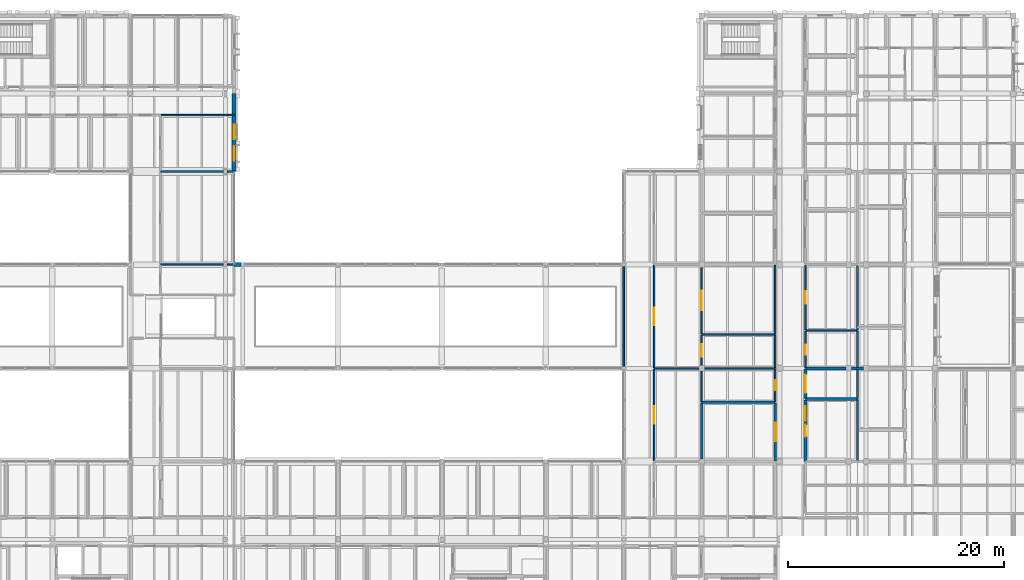
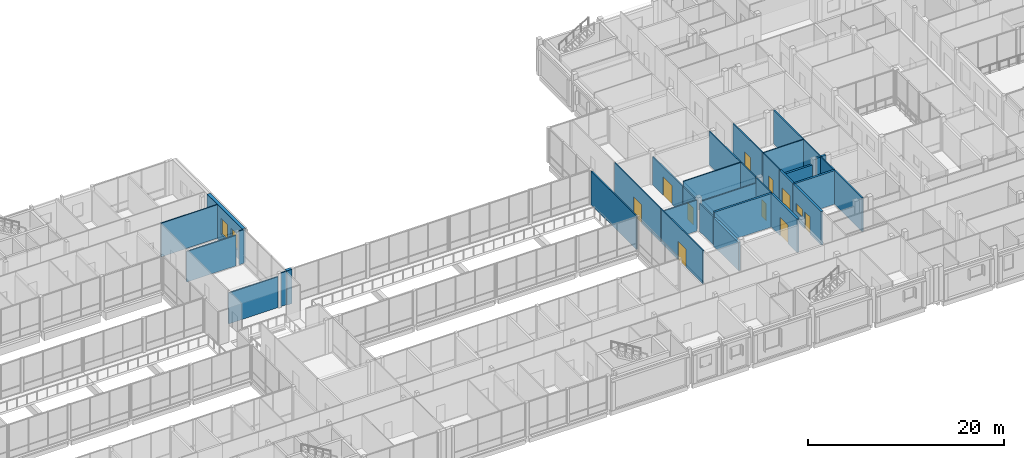
# One storey, part 115 of 146: 35 walls, 10 doors, 3 windows, 13 openings.
"""IFC4 building model written with IfcOpenShell, lengths in metres."""

import ifcopenshell
import ifcopenshell.guid

model = None  # the IFC model being written
_history = None  # IfcOwnerHistory: only IFC2X3 demands one
_inside = {}  # id of a spatial element -> (the spatial element, [elements in it])
_under = {}  # id of a project, library or spatial element -> (it, [spatial elements below it])
_declared = {}  # id of a project -> (the project, [libraries it declares])
_typed = {}  # id of a type object -> (the type object, [elements of that type])
_made_of = {}  # id of a material, layer set ... -> (it, [elements and type objects made of it])


def new_model(schema):
    """Start an empty IFC model of exactly this schema.

    Asked for "IFC4X3", IfcOpenShell would pick the latest addendum, in which some entities
    have other attributes; the version numbers below select the first issue.
    IFC2X3 requires an IfcOwnerHistory on every rooted entity: one is made here for all.
    """
    global model, _history
    if schema == "IFC4X3":
        model = ifcopenshell.file(schema_version=(4, 3, 0, 0))
    else:
        model = ifcopenshell.file(schema=schema)
    _inside.clear()
    _under.clear()
    _declared.clear()
    _typed.clear()
    _made_of.clear()
    _history = None
    if model.schema == "IFC2X3":
        org = make("IfcOrganization", Name="unknown")
        user = make(
            "IfcPersonAndOrganization",
            ThePerson=make("IfcPerson", FamilyName="unknown"),
            TheOrganization=org,
        )
        app = make(
            "IfcApplication",
            ApplicationDeveloper=org,
            Version="unknown",
            ApplicationFullName="unknown",
            ApplicationIdentifier="unknown",
        )
        _history = make(
            "IfcOwnerHistory",
            OwningUser=user,
            OwningApplication=app,
            ChangeAction="ADDED",
            CreationDate=0,
        )
    return model


def make(cls, **values):
    """One entity of the class cls with the attributes given. An attribute that is None is left unset."""
    return model.create_entity(
        cls, **{name: value for name, value in values.items() if value is not None}
    )


def rooted(cls, **values):
    """An entity with a GlobalId (a new one), such as an element, a storey or a relation."""
    return make(cls, GlobalId=ifcopenshell.guid.new(), OwnerHistory=_history, **values)


def si_unit(unit_type, name, prefix=None):
    """IfcSIUnit, for example si_unit("LENGTHUNIT", "METRE", prefix="MILLI")."""
    return make("IfcSIUnit", UnitType=unit_type, Prefix=prefix, Name=name)


def assignment(units):
    """IfcUnitAssignment: the units of a project."""
    return None if units is None else make("IfcUnitAssignment", Units=units)


def point(xyz):
    """IfcCartesianPoint."""
    return None if xyz is None else make("IfcCartesianPoint", Coordinates=xyz)


def direction(xyz):
    """IfcDirection."""
    return None if xyz is None else make("IfcDirection", DirectionRatios=xyz)


def frame(location, z_axis=None, x_axis=None):
    """IfcAxis2Placement3D, a coordinate frame: its origin and axes. An axis left out is left unset."""
    return make(
        "IfcAxis2Placement3D",
        Location=point(location),
        Axis=direction(z_axis),
        RefDirection=direction(x_axis),
    )


def frame_2d(location, x_axis=None):
    """IfcAxis2Placement2D, a coordinate frame in the plane: its origin and x axis."""
    return make(
        "IfcAxis2Placement2D", Location=point(location), RefDirection=direction(x_axis)
    )


def origin():
    """The frame at (0, 0, 0) with its axes left unset."""
    return frame((0.0, 0.0, 0.0))


def place(relative_to, where):
    """IfcLocalPlacement: puts the frame where relative to a parent placement (None: the world)."""
    return make(
        "IfcLocalPlacement", PlacementRelTo=relative_to, RelativePlacement=where
    )


def context(
    kind, dimensions, precision=None, world=None, true_north=None, identifier=None
):
    """IfcGeometricRepresentationContext, for example the 3D "Model" context."""
    return make(
        "IfcGeometricRepresentationContext",
        ContextIdentifier=identifier,
        ContextType=kind,
        CoordinateSpaceDimension=dimensions,
        Precision=precision,
        WorldCoordinateSystem=world,
        TrueNorth=true_north,
    )


def subcontext(parent, identifier, kind, view, scale=None):
    """IfcGeometricRepresentationSubContext, for example "Body" below "Model"."""
    return make(
        "IfcGeometricRepresentationSubContext",
        ContextIdentifier=identifier,
        ContextType=kind,
        ParentContext=parent,
        TargetScale=scale,
        TargetView=view,
    )


def project(units=None, contexts=None):
    """IfcProject with its units and contexts."""
    return rooted(
        "IfcProject",
        Name="project",
        RepresentationContexts=contexts,
        UnitsInContext=assignment(units),
    )


def spatial(cls, under=None, at=None, **own):
    """A site, building, storey or space (cls), placed at a placement, below another one or the project."""
    s = rooted(cls, ObjectPlacement=at, **own)
    if under is not None:
        _under.setdefault(under.id(), (under, []))[1].append(s)
    return s


def profile(cls, at=None, kind="AREA", **sizes):
    """A parametric profile (cls). Its sizes go by their IFC names, for example OverallWidth=200.0."""
    return make(cls, ProfileType=kind, Position=at, **sizes)


def rectangle(**sizes):
    """IfcRectangleProfileDef."""
    return profile("IfcRectangleProfileDef", **sizes)


def extrude(swept, where, along, depth):
    """IfcExtrudedAreaSolid: the profile swept, set in the frame where, extruded along a direction by depth."""
    return make(
        "IfcExtrudedAreaSolid",
        SweptArea=swept,
        Position=where,
        ExtrudedDirection=direction(along),
        Depth=depth,
    )


def shape(context_of_items, identifier, shape_type, items):
    """IfcShapeRepresentation: the items that make up one representation, for example the "Body"."""
    return make(
        "IfcShapeRepresentation",
        ContextOfItems=context_of_items,
        RepresentationIdentifier=identifier,
        RepresentationType=shape_type,
        Items=items,
    )


def material(Name=None, Category=None):
    """IfcMaterial."""
    return make("IfcMaterial", Name=Name, Category=Category)


def layer(
    of_material, thickness, ventilated=None, Name=None, Category=None, Priority=None
):
    """IfcMaterialLayer: one layer of a wall or slab, of a material (None: an air gap)."""
    return make(
        "IfcMaterialLayer",
        Material=of_material,
        LayerThickness=thickness,
        IsVentilated=ventilated,
        Name=Name,
        Category=Category,
        Priority=Priority,
    )


def layer_set(layers, Name=None):
    """IfcMaterialLayerSet."""
    return make("IfcMaterialLayerSet", MaterialLayers=layers, LayerSetName=Name)


def made_of(thing, what):
    """Note that an element or type object is made of a material, layer set ...; save() writes the relation."""
    if what is not None:
        _made_of.setdefault(what.id(), (what, []))[1].append(thing)
    return thing


def type_object(cls, material=None, **own):
    """A type object (cls), such as IfcWallType, which elements share."""
    return made_of(rooted(cls, **own), material)


def element(
    cls,
    number,
    at=None,
    inside=None,
    cuts=None,
    type_object=None,
    material=None,
    context=None,
    identifier="Body",
    shape_type=None,
    held_by="IfcProductDefinitionShape",
    body=None,
    shapes=None,
    **own,
):
    """One element of the class cls, such as IfcWall. Its Tag is "e" and its number.

    at: its placement. inside: the storey or other place that contains it. cuts: it is an
    opening in that element (IfcRelVoidsElement). A single representation is given by context,
    identifier, shape_type and body (its items); several are given by shapes. held_by: the class
    of the entity that holds the representations. save() writes the other relations.
    """
    e = rooted(cls, Tag="e%d" % number, ObjectPlacement=at, **own)
    if body is not None:
        shapes = [shape(context, identifier, shape_type, body)]
    if shapes is not None:
        e.Representation = make(held_by, Representations=shapes)
    if inside is not None:
        _inside.setdefault(inside.id(), (inside, []))[1].append(e)
    if cuts is not None:
        rooted(
            "IfcRelVoidsElement", RelatingBuildingElement=cuts, RelatedOpeningElement=e
        )
    if type_object is not None:
        _typed.setdefault(type_object.id(), (type_object, []))[1].append(e)
    return made_of(e, material)


def fill(opening, filler):
    """IfcRelFillsElement: the door or window that sits in an opening."""
    return rooted(
        "IfcRelFillsElement",
        RelatingOpeningElement=opening,
        RelatedBuildingElement=filler,
    )


def aggregate(whole, parts):
    """IfcRelAggregates: a whole, such as a stair, and the parts it consists of."""
    return rooted("IfcRelAggregates", RelatingObject=whole, RelatedObjects=parts)


def save(model, path):
    """Write the relations noted so far, then the file.

    IfcRelAggregates (storeys below a building ...), IfcRelContainedInSpatialStructure (elements
    in a storey), IfcRelDefinesByType, IfcRelAssociatesMaterial and IfcRelDeclares: one each for
    every whole, place, type object, material and project.
    """
    for whole, parts in _under.values():
        aggregate(whole, parts)
    for where, things in _inside.values():
        rooted(
            "IfcRelContainedInSpatialStructure",
            RelatedElements=things,
            RelatingStructure=where,
        )
    for kind, things in _typed.values():
        rooted("IfcRelDefinesByType", RelatedObjects=things, RelatingType=kind)
    for what, things in _made_of.values():
        rooted("IfcRelAssociatesMaterial", RelatedObjects=things, RelatingMaterial=what)
    for by, libraries in _declared.values():
        rooted("IfcRelDeclares", RelatingContext=by, RelatedDefinitions=libraries)
    model.write(path)


model = new_model("IFC4")

# Units and contexts
model_context = context("Model", 3, precision=1e-05, world=origin(), true_north=direction((0.0, 1.0)))
body_context = subcontext(model_context, "Body", "Model", "MODEL_VIEW")
ifc_project = project(units=[si_unit("LENGTHUNIT", "METRE"), si_unit("AREAUNIT", "SQUARE_METRE"), si_unit("VOLUMEUNIT", "CUBIC_METRE"), si_unit("PLANEANGLEUNIT", "RADIAN"), si_unit("MASSUNIT", "GRAM", prefix="KILO")], contexts=[model_context])

# Site, building, storey
site_placement = place(None, origin())
site = spatial("IfcSite", under=ifc_project, at=site_placement, CompositionType="ELEMENT")
building_placement = place(site_placement, origin())
building = spatial("IfcBuilding", under=site, at=building_placement, Name="Hawrajan Terrace Health Centre", CompositionType="ELEMENT")
storey_placement = place(building_placement, frame((0.0, 0.0, 4.5)))
storey = spatial("IfcBuildingStorey", under=building, at=storey_placement, Name="L01", CompositionType="ELEMENT", Elevation=4.5)

# Walls
ifc_material_1 = material(Name="Gypsum board on acoustic stud framing")
ifc_layer_1 = layer(ifc_material_1, 0.139892578125)
ifc_layer_set_1 = layer_set([ifc_layer_1], Name="Gypsum board on acoustic stud framing")
wall_type_1 = type_object("IfcWallType", Name="ClinicalAcousticWall_140", PredefinedType="PARTITIONING", material=ifc_layer_set_1)
wall_1_placement = place(storey_placement, frame((65.0, 36.800048828125, 0.0), z_axis=(0.0, 0.0, 1.0), x_axis=(1.0, 0.0, 0.0)))
element("IfcWall", 1, at=wall_1_placement, inside=storey, type_object=wall_type_1, Name="Interior wall IW-L01-0641", PredefinedType="PARTITIONING", context=body_context, shape_type="SweptSolid", body=[
    extrude(rectangle(XDim=5.820068359375, YDim=0.139892578125, at=frame_2d((2.91015625, 0.0))), origin(), (0.0, 0.0, 1.0), 3.85009765625),
])
wall_2_placement = place(storey_placement, frame((71.179931640625, 36.800048828125, 0.0), z_axis=(0.0, 0.0, 1.0), x_axis=(1.0, 0.0, 0.0)))
element("IfcWall", 2, at=wall_2_placement, inside=storey, type_object=wall_type_1, Name="Interior wall IW-L01-0642", PredefinedType="PARTITIONING", context=body_context, shape_type="SweptSolid", body=[
    extrude(rectangle(XDim=0.614990234375, YDim=0.139892578125, at=frame_2d((0.3076171875, 0.0))), origin(), (0.0, 0.0, 1.0), 4.179931640625),
])
wall_3_placement = place(storey_placement, frame((65.0, 45.39990234375, 0.0), z_axis=(0.0, 0.0, 1.0), x_axis=(1.0, 0.0, 0.0)))
element("IfcWall", 3, at=wall_3_placement, inside=storey, type_object=wall_type_1, Name="Interior wall IW-L01-0644", PredefinedType="PARTITIONING", context=body_context, shape_type="SweptSolid", body=[
    extrude(rectangle(XDim=5.820068359375, YDim=0.139892578125, at=frame_2d((2.91015625, 0.0))), origin(), (0.0, 0.0, 1.0), 3.800048828125),
])
wall_4_placement = place(storey_placement, frame((71.179931640625, 45.39990234375, 0.0), z_axis=(0.0, 0.0, 1.0), x_axis=(1.0, 0.0, 0.0)))
element("IfcWall", 4, at=wall_4_placement, inside=storey, type_object=wall_type_1, Name="Interior wall IW-L01-0645", PredefinedType="PARTITIONING", context=body_context, shape_type="SweptSolid", body=[
    extrude(rectangle(XDim=0.614990234375, YDim=0.139892578125, at=frame_2d((0.3076171875, 0.0))), origin(), (0.0, 0.0, 1.0), 4.179931640625),
])
wall_5_placement = place(storey_placement, frame((65.0, 50.60009765625, 0.0), z_axis=(0.0, 0.0, 1.0), x_axis=(1.0, 0.0, 0.0)))
element("IfcWall", 5, at=wall_5_placement, inside=storey, type_object=wall_type_1, Name="Interior wall IW-L01-0646", PredefinedType="PARTITIONING", context=body_context, shape_type="SweptSolid", body=[
    extrude(rectangle(XDim=6.794921875, YDim=0.139892578125, at=frame_2d((3.3974609375, 0.0))), origin(), (0.0, 0.0, 1.0), 4.179931640625),
])

# Wall, opening, door
wall_6_placement = place(storey_placement, frame((110.60009765625, 18.669921875, 0.0), z_axis=(0.0, 0.0, 1.0), x_axis=(0.0, 1.0, 0.0)))
wall_6 = element("IfcWall", 6, at=wall_6_placement, inside=storey, type_object=wall_type_1, Name="Interior wall IW-L01-0687", PredefinedType="PARTITIONING", context=body_context, shape_type="SweptSolid", body=[
    extrude(rectangle(XDim=8.4599609375, YDim=0.139892578125, at=frame_2d((4.22998046875, 0.0))), origin(), (0.0, 0.0, 1.0), 4.179931640625),
])
opening_1_placement = place(wall_6_placement, frame((3.39990234375, 0.0, 0.0)))
opening_1 = element("IfcOpeningElement", 7, at=opening_1_placement, cuts=wall_6, Name="Opening D-L01-309", PredefinedType="OPENING", context=body_context, shape_type="SweptSolid", body=[
    extrude(rectangle(XDim=1.659912109375, YDim=2.300048828125, at=frame_2d((0.830078125, 1.14990234375))), frame((0.0, 0.079833984375, 0.0), z_axis=(0.0, -1.0, 0.0), x_axis=(1.0, 0.0, 0.0)), (0.0, 0.0, 1.0), 0.159912109375),
])
ifc_material_2 = material(Name="Hardwood acoustic clinical door leaf and frame", Category="wood")
door_type_1 = type_object("IfcDoorType", Name="RehabGymDoor_1660x2300", OperationType="DOUBLE_DOOR_SINGLE_SWING", PredefinedType="DOOR", material=ifc_material_2)
door_1_placement = place(opening_1_placement, origin())
door_1 = element("IfcDoor", 8, at=door_1_placement, inside=storey, type_object=door_type_1, Name="Interior door D-L01-309", OperationType="DOUBLE_DOOR_SINGLE_SWING", OverallHeight=2.300048828125, OverallWidth=1.659912109375, PredefinedType="DOOR", context=body_context, shape_type="SweptSolid", body=[
    extrude(rectangle(XDim=1.659912109375, YDim=2.300048828125, at=frame_2d((0.830078125, 1.14990234375))), frame((0.0, 0.02490234375, 0.0), z_axis=(0.0, -1.0, 0.0), x_axis=(1.0, 0.0, 0.0)), (0.0, 0.0, 1.0), 0.050048828125),
])
fill(opening_1, door_1)

wall_7_placement = place(storey_placement, frame((110.60009765625, 27.27001953125, 0.0), z_axis=(0.0, 0.0, 1.0), x_axis=(0.0, 1.0, 0.0)))
wall_7 = element("IfcWall", 9, at=wall_7_placement, inside=storey, type_object=wall_type_1, Name="Interior wall IW-L01-0689", PredefinedType="PARTITIONING", context=body_context, shape_type="SweptSolid", body=[
    extrude(rectangle(XDim=9.4599609375, YDim=0.139892578125, at=frame_2d((4.72998046875, 0.0))), origin(), (0.0, 0.0, 1.0), 4.179931640625),
])
opening_2_placement = place(wall_7_placement, frame((3.89990234375, 0.0, 0.0)))
opening_2 = element("IfcOpeningElement", 10, at=opening_2_placement, cuts=wall_7, Name="Opening D-L01-294", PredefinedType="OPENING", context=body_context, shape_type="SweptSolid", body=[
    extrude(rectangle(XDim=1.659912109375, YDim=2.300048828125, at=frame_2d((0.830078125, 1.14990234375))), frame((0.0, 0.079833984375, 0.0), z_axis=(0.0, -1.0, 0.0), x_axis=(1.0, 0.0, 0.0)), (0.0, 0.0, 1.0), 0.159912109375),
])
door_2_placement = place(opening_2_placement, origin())
door_2 = element("IfcDoor", 11, at=door_2_placement, inside=storey, type_object=door_type_1, Name="Interior door D-L01-294", OperationType="DOUBLE_DOOR_SINGLE_SWING", OverallHeight=2.300048828125, OverallWidth=1.659912109375, PredefinedType="DOOR", context=body_context, shape_type="SweptSolid", body=[
    extrude(rectangle(XDim=1.659912109375, YDim=2.300048828125, at=frame_2d((0.830078125, 1.14990234375))), frame((0.0, 0.02490234375, 0.0), z_axis=(0.0, -1.0, 0.0), x_axis=(1.0, 0.0, 0.0)), (0.0, 0.0, 1.0), 0.050048828125),
])
fill(opening_2, door_2)

# Walls
wall_8_placement = place(storey_placement, frame((110.60009765625, 27.199951171875, 0.0), z_axis=(0.0, 0.0, 1.0), x_axis=(1.0, 0.0, 0.0)))
element("IfcWall", 12, at=wall_8_placement, inside=storey, type_object=wall_type_1, Name="Interior wall IW-L01-0690", PredefinedType="PARTITIONING", context=body_context, shape_type="SweptSolid", body=[
    extrude(rectangle(XDim=4.14990234375, YDim=0.139892578125, at=frame_2d((2.074951171875, 0.0))), origin(), (0.0, 0.0, 1.0), 3.8701171875),
])
wall_9_placement = place(storey_placement, frame((115.0, 24.139892578125, 0.0), z_axis=(0.0, 0.0, 1.0), x_axis=(0.0, 1.0, 0.0)))
element("IfcWall", 13, at=wall_9_placement, inside=storey, type_object=wall_type_1, Name="Interior wall IW-L01-0701", PredefinedType="PARTITIONING", context=body_context, shape_type="SweptSolid", body=[
    extrude(rectangle(XDim=2.81005859375, YDim=0.139892578125, at=frame_2d((1.405029296875, 0.0))), origin(), (0.0, 0.0, 1.0), 3.52001953125),
])

# Wall, opening, door
wall_10_placement = place(storey_placement, frame((115.0, 27.449951171875, 0.0), z_axis=(0.0, 0.0, 1.0), x_axis=(0.0, 1.0, 0.0)))
wall_10 = element("IfcWall", 14, at=wall_10_placement, inside=storey, type_object=wall_type_1, Name="Interior wall IW-L01-0703", PredefinedType="PARTITIONING", context=body_context, shape_type="SweptSolid", body=[
    extrude(rectangle(XDim=2.838134765625, YDim=0.139892578125, at=frame_2d((1.4189453125, 0.0))), origin(), (0.0, 0.0, 1.0), 3.52001953125),
])
opening_3_placement = place(wall_10_placement, frame((0.839111328125, 0.0, 0.0)))
opening_3 = element("IfcOpeningElement", 15, at=opening_3_placement, cuts=wall_10, Name="Opening D-L01-378", PredefinedType="OPENING", context=body_context, shape_type="SweptSolid", body=[
    extrude(rectangle(XDim=1.159912109375, YDim=2.10009765625, at=frame_2d((0.580078125, 1.050048828125))), frame((0.0, 0.079833984375, 0.0), z_axis=(0.0, -1.0, 0.0), x_axis=(1.0, 0.0, 0.0)), (0.0, 0.0, 1.0), 0.159912109375),
])
door_type_2 = type_object("IfcDoorType", Name="ConsultDoor_1160x2100", OperationType="NOTDEFINED", PredefinedType="DOOR", material=ifc_material_2)
door_3_placement = place(opening_3_placement, origin())
door_3 = element("IfcDoor", 16, at=door_3_placement, inside=storey, type_object=door_type_2, Name="Interior door D-L01-378", OperationType="SINGLE_SWING_RIGHT", OverallHeight=2.10009765625, OverallWidth=1.159912109375, PredefinedType="DOOR", context=body_context, shape_type="SweptSolid", body=[
    extrude(rectangle(XDim=1.159912109375, YDim=2.10009765625, at=frame_2d((0.580078125, 1.050048828125))), frame((0.0, 0.02490234375, 0.0), z_axis=(0.0, -1.0, 0.0), x_axis=(1.0, 0.0, 0.0)), (0.0, 0.0, 1.0), 0.050048828125),
])
fill(opening_3, door_3)

# Wall
wall_11_placement = place(storey_placement, frame((115.25, 27.199951171875, 0.0), z_axis=(0.0, 0.0, 1.0), x_axis=(1.0, 0.0, 0.0)))
element("IfcWall", 17, at=wall_11_placement, inside=storey, type_object=wall_type_1, Name="Interior wall IW-L01-0704", PredefinedType="PARTITIONING", context=body_context, shape_type="SweptSolid", body=[
    extrude(rectangle(XDim=6.550048828125, YDim=0.139892578125, at=frame_2d((3.27490234375, 0.0))), origin(), (0.0, 0.0, 1.0), 3.52001953125),
])

# Wall, opening, door
wall_12_placement = place(storey_placement, frame((115.0, 30.427978515625, 0.0), z_axis=(0.0, 0.0, 1.0), x_axis=(0.0, 1.0, 0.0)))
wall_12 = element("IfcWall", 18, at=wall_12_placement, inside=storey, type_object=wall_type_1, Name="Interior wall IW-L01-0705", PredefinedType="PARTITIONING", context=body_context, shape_type="SweptSolid", body=[
    extrude(rectangle(XDim=6.1220703125, YDim=0.139892578125, at=frame_2d((3.06103515625, 0.0))), origin(), (0.0, 0.0, 1.0), 3.52001953125),
])
opening_4_placement = place(wall_12_placement, frame((2.160888671875, 0.0, 0.0)))
opening_4 = element("IfcOpeningElement", 19, at=opening_4_placement, cuts=wall_12, Name="Opening D-L01-379", PredefinedType="OPENING", context=body_context, shape_type="SweptSolid", body=[
    extrude(rectangle(XDim=1.800048828125, YDim=2.300048828125, at=frame_2d((0.89990234375, 1.14990234375))), frame((0.0, 0.079833984375, 0.0), z_axis=(0.0, -1.0, 0.0), x_axis=(1.0, 0.0, 0.0)), (0.0, 0.0, 1.0), 0.159912109375),
])
door_type_3 = type_object("IfcDoorType", Name="EducationHallDoor_1800x2300", OperationType="DOUBLE_DOOR_SINGLE_SWING", PredefinedType="DOOR", material=ifc_material_2)
door_4_placement = place(opening_4_placement, origin())
door_4 = element("IfcDoor", 20, at=door_4_placement, inside=storey, type_object=door_type_3, Name="Interior door D-L01-379", OperationType="DOUBLE_DOOR_SINGLE_SWING", OverallHeight=2.300048828125, OverallWidth=1.800048828125, PredefinedType="DOOR", context=body_context, shape_type="SweptSolid", body=[
    extrude(rectangle(XDim=1.800048828125, YDim=2.300048828125, at=frame_2d((0.89990234375, 1.14990234375))), frame((0.0, 0.02490234375, 0.0), z_axis=(0.0, -1.0, 0.0), x_axis=(1.0, 0.0, 0.0)), (0.0, 0.0, 1.0), 0.050048828125),
])
fill(opening_4, door_4)

# Wall
wall_13_placement = place(storey_placement, frame((115.0, 30.35791015625, 0.0), z_axis=(0.0, 0.0, 1.0), x_axis=(1.0, 0.0, 0.0)))
element("IfcWall", 21, at=wall_13_placement, inside=storey, type_object=wall_type_1, Name="Interior wall IW-L01-0706", PredefinedType="PARTITIONING", context=body_context, shape_type="SweptSolid", body=[
    extrude(rectangle(XDim=6.800048828125, YDim=0.139892578125, at=frame_2d((3.39990234375, 0.0))), origin(), (0.0, 0.0, 1.0), 4.179931640625),
])

# Wall, opening, door
wall_14_placement = place(storey_placement, frame((121.800048828125, 24.139892578125, 0.0), z_axis=(0.0, 0.0, 1.0), x_axis=(0.0, 1.0, 0.0)))
wall_14 = element("IfcWall", 22, at=wall_14_placement, inside=storey, type_object=wall_type_1, Name="Interior wall IW-L01-0718", PredefinedType="PARTITIONING", context=body_context, shape_type="SweptSolid", body=[
    extrude(rectangle(XDim=2.989990234375, YDim=0.139892578125, at=frame_2d((1.4951171875, 0.0))), origin(), (0.0, 0.0, 1.0), 4.179931640625),
])
opening_5_placement = place(wall_14_placement, frame((1.034912109375, 0.0, 0.0)))
opening_5 = element("IfcOpeningElement", 23, at=opening_5_placement, cuts=wall_14, Name="Opening D-L01-377", PredefinedType="OPENING", context=body_context, shape_type="SweptSolid", body=[
    extrude(rectangle(XDim=0.919921875, YDim=2.10009765625, at=frame_2d((0.4599609375, 1.050048828125))), frame((0.0, 0.079833984375, 0.0), z_axis=(0.0, -1.0, 0.0), x_axis=(1.0, 0.0, 0.0)), (0.0, 0.0, 1.0), 0.159912109375),
])
door_type_4 = type_object("IfcDoorType", Name="StaffOfficeDoor_920x2100", OperationType="NOTDEFINED", PredefinedType="DOOR", material=ifc_material_2)
door_5_placement = place(opening_5_placement, origin())
door_5 = element("IfcDoor", 24, at=door_5_placement, inside=storey, type_object=door_type_4, Name="Interior door D-L01-377", OperationType="SINGLE_SWING_LEFT", OverallHeight=2.10009765625, OverallWidth=0.919921875, PredefinedType="DOOR", context=body_context, shape_type="SweptSolid", body=[
    extrude(rectangle(XDim=0.919921875, YDim=2.10009765625, at=frame_2d((0.4599609375, 1.050048828125))), frame((0.0, 0.02490234375, 0.0), z_axis=(0.0, -1.0, 0.0), x_axis=(1.0, 0.0, 0.0)), (0.0, 0.0, 1.0), 0.050048828125),
])
fill(opening_5, door_5)

# Walls
wall_15_placement = place(storey_placement, frame((121.800048828125, 27.27001953125, 0.0), z_axis=(0.0, 0.0, 1.0), x_axis=(0.0, 1.0, 0.0)))
element("IfcWall", 25, at=wall_15_placement, inside=storey, type_object=wall_type_1, Name="Interior wall IW-L01-0719", PredefinedType="PARTITIONING", context=body_context, shape_type="SweptSolid", body=[
    extrude(rectangle(XDim=3.01806640625, YDim=0.139892578125, at=frame_2d((1.509033203125, 0.0))), origin(), (0.0, 0.0, 1.0), 4.179931640625),
])
wall_16_placement = place(storey_placement, frame((121.800048828125, 30.427978515625, 0.0), z_axis=(0.0, 0.0, 1.0), x_axis=(0.0, 1.0, 0.0)))
element("IfcWall", 26, at=wall_16_placement, inside=storey, type_object=wall_type_1, Name="Interior wall IW-L01-0720", PredefinedType="PARTITIONING", context=body_context, shape_type="SweptSolid", body=[
    extrude(rectangle(XDim=6.302001953125, YDim=0.139892578125, at=frame_2d((3.15087890625, 0.0))), origin(), (0.0, 0.0, 1.0), 4.179931640625),
])

# Wall, opening, door
wall_17_placement = place(storey_placement, frame((124.60009765625, 27.27001953125, 0.0), z_axis=(0.0, 0.0, 1.0), x_axis=(0.0, 1.0, 0.0)))
wall_17 = element("IfcWall", 27, at=wall_17_placement, inside=storey, type_object=wall_type_1, Name="Interior wall IW-L01-0732", PredefinedType="PARTITIONING", context=body_context, shape_type="SweptSolid", body=[
    extrude(rectangle(XDim=3.35400390625, YDim=0.139892578125, at=frame_2d((1.677001953125, 0.0))), origin(), (0.0, 0.0, 1.0), 4.179931640625),
])
opening_6_placement = place(wall_17_placement, frame((1.217041015625, 0.0, 0.0)))
opening_6 = element("IfcOpeningElement", 28, at=opening_6_placement, cuts=wall_17, Name="Opening D-L01-387", PredefinedType="OPENING", context=body_context, shape_type="SweptSolid", body=[
    extrude(rectangle(XDim=0.919921875, YDim=2.10009765625, at=frame_2d((0.4599609375, 1.050048828125))), frame((0.0, 0.079833984375, 0.0), z_axis=(0.0, -1.0, 0.0), x_axis=(1.0, 0.0, 0.0)), (0.0, 0.0, 1.0), 0.159912109375),
])
door_6_placement = place(opening_6_placement, origin())
door_6 = element("IfcDoor", 29, at=door_6_placement, inside=storey, type_object=door_type_4, Name="Interior door D-L01-387", OperationType="SINGLE_SWING_LEFT", OverallHeight=2.10009765625, OverallWidth=0.919921875, PredefinedType="DOOR", context=body_context, shape_type="SweptSolid", body=[
    extrude(rectangle(XDim=0.919921875, YDim=2.10009765625, at=frame_2d((0.4599609375, 1.050048828125))), frame((0.0, 0.02490234375, 0.0), z_axis=(0.0, -1.0, 0.0), x_axis=(1.0, 0.0, 0.0)), (0.0, 0.0, 1.0), 0.050048828125),
])
fill(opening_6, door_6)

wall_18_placement = place(storey_placement, frame((124.60009765625, 30.763916015625, 0.0), z_axis=(0.0, 0.0, 1.0), x_axis=(0.0, 1.0, 0.0)))
wall_18 = element("IfcWall", 30, at=wall_18_placement, inside=storey, type_object=wall_type_1, Name="Interior wall IW-L01-0735", PredefinedType="PARTITIONING", context=body_context, shape_type="SweptSolid", body=[
    extrude(rectangle(XDim=5.966064453125, YDim=0.139892578125, at=frame_2d((2.98291015625, 0.0))), origin(), (0.0, 0.0, 1.0), 4.179931640625),
])
opening_7_placement = place(wall_18_placement, frame((2.403076171875, 0.0, 0.0)))
opening_7 = element("IfcOpeningElement", 31, at=opening_7_placement, cuts=wall_18, Name="Opening D-L01-388", PredefinedType="OPENING", context=body_context, shape_type="SweptSolid", body=[
    extrude(rectangle(XDim=1.159912109375, YDim=2.10009765625, at=frame_2d((0.580078125, 1.050048828125))), frame((0.0, 0.079833984375, 0.0), z_axis=(0.0, -1.0, 0.0), x_axis=(1.0, 0.0, 0.0)), (0.0, 0.0, 1.0), 0.159912109375),
])
door_7_placement = place(opening_7_placement, origin())
door_7 = element("IfcDoor", 32, at=door_7_placement, inside=storey, type_object=door_type_2, Name="Interior door D-L01-388", OperationType="SINGLE_SWING_RIGHT", OverallHeight=2.10009765625, OverallWidth=1.159912109375, PredefinedType="DOOR", context=body_context, shape_type="SweptSolid", body=[
    extrude(rectangle(XDim=1.159912109375, YDim=2.10009765625, at=frame_2d((0.580078125, 1.050048828125))), frame((0.0, 0.02490234375, 0.0), z_axis=(0.0, -1.0, 0.0), x_axis=(1.0, 0.0, 0.0)), (0.0, 0.0, 1.0), 0.050048828125),
])
fill(opening_7, door_7)

# Walls
wall_19_placement = place(storey_placement, frame((124.60009765625, 30.694091796875, 0.0), z_axis=(0.0, 0.0, 1.0), x_axis=(1.0, 0.0, 0.0)))
element("IfcWall", 33, at=wall_19_placement, inside=storey, type_object=wall_type_1, Name="Interior wall IW-L01-0736", PredefinedType="PARTITIONING", context=body_context, shape_type="SweptSolid", body=[
    extrude(rectangle(XDim=4.794921875, YDim=0.139892578125, at=frame_2d((2.3974609375, 0.0))), origin(), (0.0, 0.0, 1.0), 4.179931640625),
])
ifc_material_3 = material(Name="Precast concrete C40/50", Category="concrete")
ifc_layer_2 = layer(ifc_material_3, 0.340087890625)
ifc_layer_set_2 = layer_set([ifc_layer_2], Name="Precast concrete C40/50")
wall_type_2 = type_object("IfcWallType", Name="CoralAshlarWall_340", PredefinedType="SOLIDWALL", material=ifc_layer_set_2)
wall_20_placement = place(storey_placement, frame((71.804931640625, 36.800048828125, 0.0), z_axis=(0.0, 0.0, 1.0), x_axis=(1.0, 0.0, 0.0)))
element("IfcWall", 34, at=wall_20_placement, inside=storey, type_object=wall_type_2, Name="Exterior wall EW-L01-H09-04-1", PredefinedType="SOLIDWALL", context=body_context, shape_type="SweptSolid", body=[
    extrude(rectangle(XDim=0.614990234375, YDim=0.340087890625, at=frame_2d((0.3076171875, 0.0))), origin(), (0.0, 0.0, 1.0), 4.300048828125),
])

# Wall, openings, windows
ifc_layer_3 = layer(ifc_material_3, 0.360107421875)
ifc_layer_set_3 = layer_set([ifc_layer_3], Name="Precast concrete C40/50")
wall_type_3 = type_object("IfcWallType", Name="CoralPodiumWall_360", PredefinedType="SOLIDWALL", material=ifc_layer_set_3)
wall_21_placement = place(storey_placement, frame((71.794921875, 45.39990234375, 0.0), z_axis=(0.0, 0.0, 1.0), x_axis=(0.0, 1.0, 0.0)))
wall_21 = element("IfcWall", 35, at=wall_21_placement, inside=storey, type_object=wall_type_3, Name="Exterior wall EW-L01-V09-05-1", PredefinedType="SOLIDWALL", context=body_context, shape_type="SweptSolid", body=[
    extrude(rectangle(XDim=7.2001953125, YDim=0.360107421875, at=frame_2d((3.60009765625, 0.0))), origin(), (0.0, 0.0, 1.0), 4.260009765625),
])
opening_8_placement = place(wall_21_placement, frame((0.97998046875, 0.0, 1.0)))
opening_8 = element("IfcOpeningElement", 36, at=opening_8_placement, cuts=wall_21, Name="Opening W-L01-080", PredefinedType="OPENING", context=body_context, shape_type="SweptSolid", body=[
    extrude(rectangle(XDim=1.340087890625, YDim=1.949951171875, at=frame_2d((0.669921875, 0.97509765625))), frame((0.0, 0.18994140625, 0.0), z_axis=(0.0, -1.0, 0.0), x_axis=(1.0, 0.0, 0.0)), (0.0, 0.0, 1.0), 0.380126953125),
])
opening_9_placement = place(wall_21_placement, frame((3.0, 0.0, 1.0)))
opening_9 = element("IfcOpeningElement", 37, at=opening_9_placement, cuts=wall_21, Name="Opening W-L01-081", PredefinedType="OPENING", context=body_context, shape_type="SweptSolid", body=[
    extrude(rectangle(XDim=1.340087890625, YDim=1.949951171875, at=frame_2d((0.669921875, 0.97509765625))), frame((0.0, 0.18994140625, 0.0), z_axis=(0.0, -1.0, 0.0), x_axis=(1.0, 0.0, 0.0)), (0.0, 0.0, 1.0), 0.380126953125),
])
ifc_material_4 = material(Name="Anodized bronze frame with double low-E glazing", Category="glass")
window_type_1 = type_object("IfcWindowType", Name="FacadeWindow_1340x1950", PartitioningType="SINGLE_PANEL", PredefinedType="WINDOW", material=ifc_material_4)
window_1_placement = place(opening_8_placement, origin())
window_1 = element("IfcWindow", 38, at=window_1_placement, inside=storey, type_object=window_type_1, Name="Window W-L01-080", OverallHeight=1.949951171875, OverallWidth=1.340087890625, PartitioningType="SINGLE_PANEL", PredefinedType="WINDOW", context=body_context, shape_type="SweptSolid", body=[
    extrude(rectangle(XDim=1.340087890625, YDim=1.949951171875, at=frame_2d((0.669921875, 0.97509765625))), frame((0.0, 0.030029296875, 0.0), z_axis=(0.0, -1.0, 0.0), x_axis=(1.0, 0.0, 0.0)), (0.0, 0.0, 1.0), 0.06005859375),
])
fill(opening_8, window_1)
window_2_placement = place(opening_9_placement, origin())
window_2 = element("IfcWindow", 39, at=window_2_placement, inside=storey, type_object=window_type_1, Name="Window W-L01-081", OverallHeight=1.949951171875, OverallWidth=1.340087890625, PartitioningType="SINGLE_PANEL", PredefinedType="WINDOW", context=body_context, shape_type="SweptSolid", body=[
    extrude(rectangle(XDim=1.340087890625, YDim=1.949951171875, at=frame_2d((0.669921875, 0.97509765625))), frame((0.0, 0.030029296875, 0.0), z_axis=(0.0, -1.0, 0.0), x_axis=(1.0, 0.0, 0.0)), (0.0, 0.0, 1.0), 0.06005859375),
])
fill(opening_9, window_2)

# Walls
ifc_layer_4 = layer(ifc_material_1, 0.159912109375)
ifc_layer_set_4 = layer_set([ifc_layer_4], Name="Gypsum board on acoustic stud framing")
wall_type_4 = type_object("IfcWallType", Name="CorridorFireWall_160", PredefinedType="PARTITIONING", material=ifc_layer_set_4)
wall_22_placement = place(storey_placement, frame((107.800048828125, 27.3798828125, 0.0), z_axis=(0.0, 0.0, 1.0), x_axis=(0.0, 1.0, 0.0)))
element("IfcWall", 40, at=wall_22_placement, inside=storey, type_object=wall_type_4, Name="Interior wall IW-L01-0924", PredefinedType="PARTITIONING", context=body_context, shape_type="SweptSolid", body=[
    extrude(rectangle(XDim=9.240234375, YDim=0.159912109375, at=frame_2d((4.6201171875, 0.0))), origin(), (0.0, 0.0, 1.0), 4.179931640625),
])
wall_23_placement = place(storey_placement, frame((129.39501953125, 18.60009765625, 0.0), z_axis=(0.0, 0.0, 1.0), x_axis=(0.0, 1.0, 0.0)))
element("IfcWall", 41, at=wall_23_placement, inside=storey, type_object=wall_type_4, Name="Interior wall IW-L01-0951", PredefinedType="PARTITIONING", context=body_context, shape_type="SweptSolid", body=[
    extrude(rectangle(XDim=5.700439453125, YDim=0.159912109375, at=frame_2d((2.85009765625, 0.0))), origin(), (0.0, 0.0, 1.0), 4.179931640625),
])
wall_24_placement = place(storey_placement, frame((129.39501953125, 24.440673828125, 0.0), z_axis=(0.0, 0.0, 1.0), x_axis=(0.0, 1.0, 0.0)))
element("IfcWall", 42, at=wall_24_placement, inside=storey, type_object=wall_type_4, Name="Interior wall IW-L01-0952", PredefinedType="PARTITIONING", context=body_context, shape_type="SweptSolid", body=[
    extrude(rectangle(XDim=2.689208984375, YDim=0.159912109375, at=frame_2d((1.3447265625, 0.0))), origin(), (0.0, 0.0, 1.0), 4.179931640625),
])
wall_25_placement = place(storey_placement, frame((129.39501953125, 27.27001953125, 0.0), z_axis=(0.0, 0.0, 1.0), x_axis=(0.0, 1.0, 0.0)))
element("IfcWall", 43, at=wall_25_placement, inside=storey, type_object=wall_type_4, Name="Interior wall IW-L01-0953", PredefinedType="PARTITIONING", context=body_context, shape_type="SweptSolid", body=[
    extrude(rectangle(XDim=3.3544921875, YDim=0.159912109375, at=frame_2d((1.67724609375, 0.0))), origin(), (0.0, 0.0, 1.0), 4.179931640625),
])
wall_26_placement = place(storey_placement, frame((129.39501953125, 30.764404296875, 0.0), z_axis=(0.0, 0.0, 1.0), x_axis=(0.0, 1.0, 0.0)))
element("IfcWall", 44, at=wall_26_placement, inside=storey, type_object=wall_type_4, Name="Interior wall IW-L01-0954", PredefinedType="PARTITIONING", context=body_context, shape_type="SweptSolid", body=[
    extrude(rectangle(XDim=5.965576171875, YDim=0.159912109375, at=frame_2d((2.98291015625, 0.0))), origin(), (0.0, 0.0, 1.0), 4.179931640625),
])
ifc_material_5 = material(Name="Concrete C40/50", Category="concrete")
ifc_layer_5 = layer(ifc_material_5, 0.25)
ifc_layer_set_5 = layer_set([ifc_layer_5], Name="Concrete C40/50")
wall_type_5 = type_object("IfcWallType", Name="RadiationShieldWall_RC250", PredefinedType="SOLIDWALL", material=ifc_layer_set_5)
wall_27_placement = place(storey_placement, frame((115.0, 18.85009765625, 0.0), z_axis=(0.0, 0.0, 1.0), x_axis=(0.0, 1.0, 0.0)))
element("IfcWall", 45, at=wall_27_placement, inside=storey, type_object=wall_type_5, Name="Interior wall IW-L01-0699", PredefinedType="SOLIDWALL", context=body_context, shape_type="SweptSolid", body=[
    extrude(rectangle(XDim=5.14990234375, YDim=0.25, at=frame_2d((2.574951171875, 0.0))), origin(), (0.0, 0.0, 1.0), 3.52001953125),
])
wall_28_placement = place(storey_placement, frame((115.0, 24.070068359375, 0.0), z_axis=(0.0, 0.0, 1.0), x_axis=(1.0, 0.0, 0.0)))
element("IfcWall", 46, at=wall_28_placement, inside=storey, type_object=wall_type_5, Name="Interior wall IW-L01-0702", PredefinedType="SOLIDWALL", context=body_context, shape_type="SweptSolid", body=[
    extrude(rectangle(XDim=6.800048828125, YDim=0.25, at=frame_2d((3.39990234375, 0.0))), origin(), (0.0, 0.0, 1.0), 4.179931640625),
])

# Wall, opening, door
wall_29_placement = place(storey_placement, frame((121.800048828125, 18.669921875, 0.0), z_axis=(0.0, 0.0, 1.0), x_axis=(0.0, 1.0, 0.0)))
wall_29 = element("IfcWall", 47, at=wall_29_placement, inside=storey, type_object=wall_type_5, Name="Interior wall IW-L01-0717", PredefinedType="SOLIDWALL", context=body_context, shape_type="SweptSolid", body=[
    extrude(rectangle(XDim=5.330078125, YDim=0.25, at=frame_2d((2.6650390625, 0.0))), origin(), (0.0, 0.0, 1.0), 4.179931640625),
])
opening_10_placement = place(wall_29_placement, frame((1.824951171875, 0.0, 0.0)))
opening_10 = element("IfcOpeningElement", 48, at=opening_10_placement, cuts=wall_29, Name="Opening D-L01-376", PredefinedType="OPENING", context=body_context, shape_type="SweptSolid", body=[
    extrude(rectangle(XDim=1.679931640625, YDim=2.300048828125, at=frame_2d((0.83984375, 1.14990234375))), frame((0.0, 0.135009765625, 0.0), z_axis=(0.0, -1.0, 0.0), x_axis=(1.0, 0.0, 0.0)), (0.0, 0.0, 1.0), 0.27001953125),
])
ifc_material_6 = material(Name="Timber-veneered acoustic fire-resisting door assembly", Category="wood")
door_type_5 = type_object("IfcDoorType", Name="ImagingShieldedDoor_1680x2300", OperationType="DOUBLE_DOOR_SINGLE_SWING", PredefinedType="DOOR", material=ifc_material_6)
door_8_placement = place(opening_10_placement, origin())
door_8 = element("IfcDoor", 49, at=door_8_placement, inside=storey, type_object=door_type_5, Name="Interior door D-L01-376", OperationType="DOUBLE_DOOR_SINGLE_SWING", OverallHeight=2.300048828125, OverallWidth=1.679931640625, PredefinedType="DOOR", context=body_context, shape_type="SweptSolid", body=[
    extrude(rectangle(XDim=1.679931640625, YDim=2.300048828125, at=frame_2d((0.83984375, 1.14990234375))), frame((0.0, 0.02490234375, 0.0), z_axis=(0.0, -1.0, 0.0), x_axis=(1.0, 0.0, 0.0)), (0.0, 0.0, 1.0), 0.050048828125),
])
fill(opening_10, door_8)

# Wall, openings, door, window
wall_30_placement = place(storey_placement, frame((124.60009765625, 18.60009765625, 0.0), z_axis=(0.0, 0.0, 1.0), x_axis=(0.0, 1.0, 0.0)))
wall_30 = element("IfcWall", 50, at=wall_30_placement, inside=storey, type_object=wall_type_5, Name="Interior wall IW-L01-0729", PredefinedType="SOLIDWALL", context=body_context, shape_type="SweptSolid", body=[
    extrude(rectangle(XDim=5.700927734375, YDim=0.25, at=frame_2d((2.8505859375, 0.0))), origin(), (0.0, 0.0, 1.0), 4.179931640625),
])
opening_11_placement = place(wall_30_placement, frame((2.310546875, 0.0, 0.0)))
opening_11 = element("IfcOpeningElement", 51, at=opening_11_placement, cuts=wall_30, Name="Opening D-L01-385", PredefinedType="OPENING", context=body_context, shape_type="SweptSolid", body=[
    extrude(rectangle(XDim=1.080078125, YDim=2.14990234375, at=frame_2d((0.5400390625, 1.074951171875))), frame((0.0, 0.135009765625, 0.0), z_axis=(0.0, -1.0, 0.0), x_axis=(1.0, 0.0, 0.0)), (0.0, 0.0, 1.0), 0.27001953125),
])
opening_12_placement = place(wall_30_placement, frame((3.79052734375, 0.0, 1.10009765625)))
opening_12 = element("IfcOpeningElement", 52, at=opening_12_placement, cuts=wall_30, Name="Opening W-L01-I04", PredefinedType="OPENING", context=body_context, shape_type="SweptSolid", body=[
    extrude(rectangle(XDim=1.300048828125, YDim=1.0, at=frame_2d((0.64990234375, 0.5))), frame((0.0, 0.135009765625, 0.0), z_axis=(0.0, -1.0, 0.0), x_axis=(1.0, 0.0, 0.0)), (0.0, 0.0, 1.0), 0.27001953125),
])
door_type_6 = type_object("IfcDoorType", Name="ClinicalFireDoor_1080x2150", OperationType="NOTDEFINED", PredefinedType="DOOR", material=ifc_material_6)
door_9_placement = place(opening_11_placement, origin())
door_9 = element("IfcDoor", 53, at=door_9_placement, inside=storey, type_object=door_type_6, Name="Interior door D-L01-385", OperationType="SINGLE_SWING_LEFT", OverallHeight=2.14990234375, OverallWidth=1.080078125, PredefinedType="DOOR", context=body_context, shape_type="SweptSolid", body=[
    extrude(rectangle(XDim=1.080078125, YDim=2.14990234375, at=frame_2d((0.5400390625, 1.074951171875))), frame((0.0, 0.02490234375, 0.0), z_axis=(0.0, -1.0, 0.0), x_axis=(1.0, 0.0, 0.0)), (0.0, 0.0, 1.0), 0.050048828125),
])
fill(opening_11, door_9)
ifc_material_7 = material(Name="Lead-lined and acoustic internal observation glazing", Category="glass")
window_type_2 = type_object("IfcWindowType", Name="LeadGlassControlWindow_1300x1000", PartitioningType="SINGLE_PANEL", PredefinedType="WINDOW", material=ifc_material_7)
window_3_placement = place(opening_12_placement, origin())
window_3 = element("IfcWindow", 54, at=window_3_placement, inside=storey, type_object=window_type_2, Name="Observation window W-L01-I04", OverallHeight=1.0, OverallWidth=1.300048828125, PartitioningType="SINGLE_PANEL", PredefinedType="WINDOW", context=body_context, shape_type="SweptSolid", body=[
    extrude(rectangle(XDim=1.300048828125, YDim=1.0, at=frame_2d((0.64990234375, 0.5))), frame((0.0, 0.030029296875, 0.0), z_axis=(0.0, -1.0, 0.0), x_axis=(1.0, 0.0, 0.0)), (0.0, 0.0, 1.0), 0.06005859375),
])
fill(opening_12, window_3)

# Wall, opening, door
wall_31_placement = place(storey_placement, frame((124.60009765625, 24.44091796875, 0.0), z_axis=(0.0, 0.0, 1.0), x_axis=(0.0, 1.0, 0.0)))
wall_31 = element("IfcWall", 55, at=wall_31_placement, inside=storey, type_object=wall_type_5, Name="Interior wall IW-L01-0730", PredefinedType="SOLIDWALL", context=body_context, shape_type="SweptSolid", body=[
    extrude(rectangle(XDim=2.68896484375, YDim=0.25, at=frame_2d((1.344482421875, 0.0))), origin(), (0.0, 0.0, 1.0), 4.179931640625),
])
opening_13_placement = place(wall_31_placement, frame((0.50439453125, 0.0, 0.0)))
opening_13 = element("IfcOpeningElement", 56, at=opening_13_placement, cuts=wall_31, Name="Opening D-L01-386", PredefinedType="OPENING", context=body_context, shape_type="SweptSolid", body=[
    extrude(rectangle(XDim=1.679931640625, YDim=2.300048828125, at=frame_2d((0.83984375, 1.14990234375))), frame((0.0, 0.135009765625, 0.0), z_axis=(0.0, -1.0, 0.0), x_axis=(1.0, 0.0, 0.0)), (0.0, 0.0, 1.0), 0.27001953125),
])
door_10_placement = place(opening_13_placement, origin())
door_10 = element("IfcDoor", 57, at=door_10_placement, inside=storey, type_object=door_type_5, Name="Interior door D-L01-386", OperationType="DOUBLE_DOOR_SINGLE_SWING", OverallHeight=2.300048828125, OverallWidth=1.679931640625, PredefinedType="DOOR", context=body_context, shape_type="SweptSolid", body=[
    extrude(rectangle(XDim=1.679931640625, YDim=2.300048828125, at=frame_2d((0.83984375, 1.14990234375))), frame((0.0, 0.02490234375, 0.0), z_axis=(0.0, -1.0, 0.0), x_axis=(1.0, 0.0, 0.0)), (0.0, 0.0, 1.0), 0.050048828125),
])
fill(opening_13, door_10)

# Walls
wall_32_placement = place(storey_placement, frame((124.60009765625, 24.37109375, 0.0), z_axis=(0.0, 0.0, 1.0), x_axis=(1.0, 0.0, 0.0)))
element("IfcWall", 58, at=wall_32_placement, inside=storey, type_object=wall_type_5, Name="Interior wall IW-L01-0731", PredefinedType="SOLIDWALL", context=body_context, shape_type="SweptSolid", body=[
    extrude(rectangle(XDim=4.794921875, YDim=0.25, at=frame_2d((2.3974609375, 0.0))), origin(), (0.0, 0.0, 1.0), 4.179931640625),
])
wall_33_placement = place(storey_placement, frame((124.60009765625, 27.199951171875, 0.0), z_axis=(0.0, 0.0, 1.0), x_axis=(1.0, 0.0, 0.0)))
element("IfcWall", 59, at=wall_33_placement, inside=storey, type_object=wall_type_5, Name="Interior wall IW-L01-0733", PredefinedType="SOLIDWALL", context=body_context, shape_type="SweptSolid", body=[
    extrude(rectangle(XDim=3.75, YDim=0.25, at=frame_2d((1.875, 0.0))), origin(), (0.0, 0.0, 1.0), 3.52001953125),
])
wall_34_placement = place(storey_placement, frame((128.85009765625, 27.199951171875, 0.0), z_axis=(0.0, 0.0, 1.0), x_axis=(1.0, 0.0, 0.0)))
element("IfcWall", 60, at=wall_34_placement, inside=storey, type_object=wall_type_5, Name="Interior wall IW-L01-0734", PredefinedType="SOLIDWALL", context=body_context, shape_type="SweptSolid", body=[
    extrude(rectangle(XDim=0.48486328125, YDim=0.25, at=frame_2d((0.242431640625, 0.0))), origin(), (0.0, 0.0, 1.0), 4.179931640625),
])
wall_35_placement = place(storey_placement, frame((129.405029296875, 27.199951171875, 0.0), z_axis=(0.0, 0.0, 1.0), x_axis=(1.0, 0.0, 0.0)))
element("IfcWall", 61, at=wall_35_placement, inside=storey, type_object=wall_type_5, Name="Interior wall IW-L01-0748", PredefinedType="SOLIDWALL", context=body_context, shape_type="SweptSolid", body=[
    extrude(rectangle(XDim=0.544921875, YDim=0.25, at=frame_2d((0.2724609375, 0.0))), origin(), (0.0, 0.0, 1.0), 4.179931640625),
])

save(model, "model.ifc")
